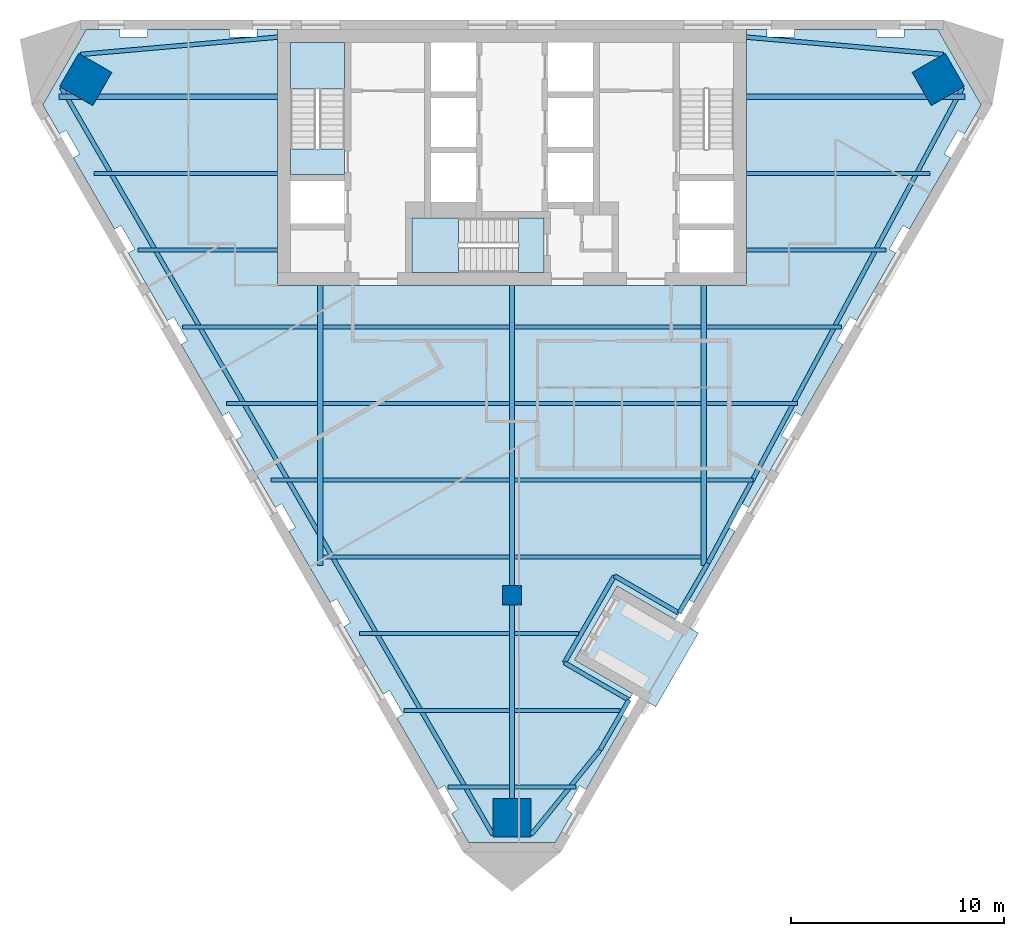
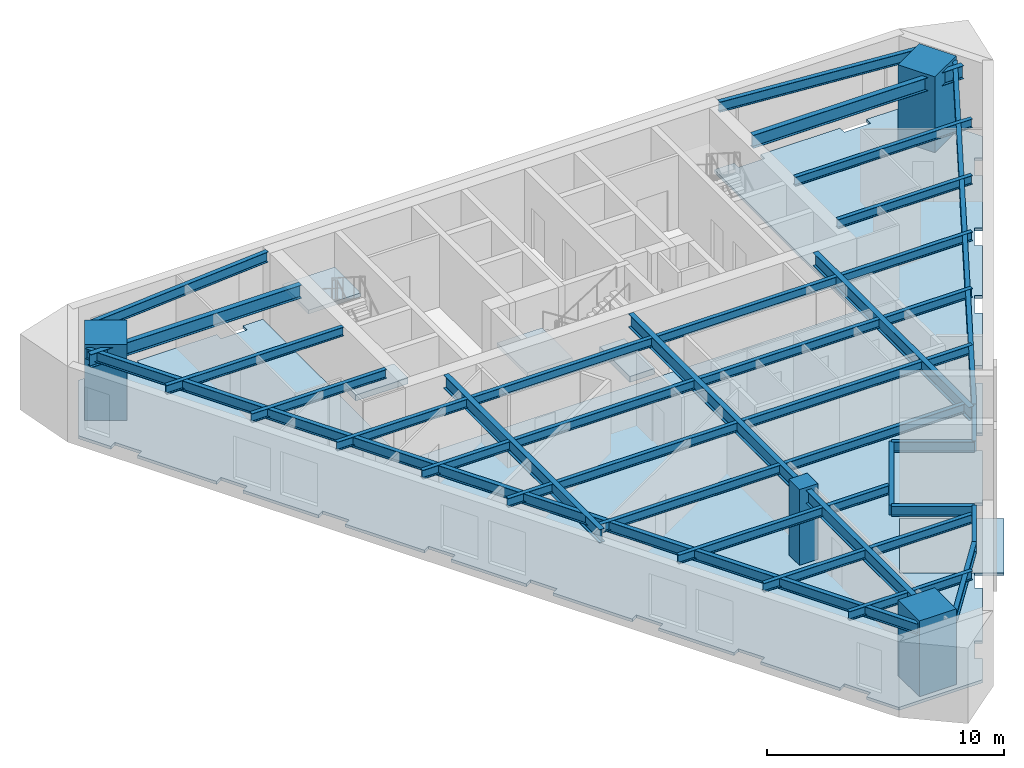
# One storey, part 1 of 7: 40 beams, 6 slabs, 4 columns, 2 elements without a shape of their own.
"""IFC4 building model written with IfcOpenShell, lengths in metres."""

from ifc_helpers import new_model, si_unit, direction, frame, origin, origin_2d, place, context, subcontext, project, spatial, polyline, rectangle, i_section, outline, extrude, material, layer, layer_set, material_profile, profile_set, type_object, element, aggregate, save


model = new_model("IFC4")

# Units and contexts
model_context = context("Model", 3, precision=1e-05, world=origin(), true_north=direction((0.0, 1.0)))
body_context = subcontext(model_context, "Body", "Model", "MODEL_VIEW")
ifc_project = project(units=[si_unit("LENGTHUNIT", "METRE"), si_unit("AREAUNIT", "SQUARE_METRE"), si_unit("VOLUMEUNIT", "CUBIC_METRE"), si_unit("PLANEANGLEUNIT", "RADIAN"), si_unit("MASSUNIT", "GRAM", prefix="KILO")], contexts=[model_context])

# Site, building, storey
site_placement = place(None, origin())
site = spatial("IfcSite", under=ifc_project, at=site_placement, CompositionType="ELEMENT")
building_placement = place(site_placement, origin())
building = spatial("IfcBuilding", under=site, at=building_placement, Name="Aloe Facet Convention Tower", CompositionType="ELEMENT")
storey_placement = place(building_placement, frame((0.0, 0.0, 163.699951171875)))
storey = spatial("IfcBuildingStorey", under=building, at=storey_placement, Name="L41", CompositionType="ELEMENT", Elevation=163.699951171875)

# Columns
ifc_material_1 = material(Name="Concrete C70/85", Category="concrete")
ifc_material_profile_1 = material_profile(ifc_material_1, rectangle(XDim=0.89990234375, YDim=0.89990234375, at=origin_2d()), Name="SF-GC-Z3")
ifc_profile_set_1 = profile_set([ifc_material_profile_1], Name="Concrete C70/85")
column_type_1 = type_object("IfcColumnType", Name="SF-GC-Z3", PredefinedType="COLUMN", material=ifc_profile_set_1)
column_placement = place(storey_placement, frame((80.0, 108.0, 0.0), z_axis=(0.0, 0.0, 1.0), x_axis=(1.0, 0.0, 0.0)))
element("IfcColumn", 1, at=column_placement, inside=storey, type_object=column_type_1, Name="Gravity column GC-Z3-9D", PredefinedType="COLUMN", context=body_context, shape_type="SweptSolid", body=[
    extrude(rectangle(XDim=0.89990234375, YDim=0.89990234375, at=origin_2d()), origin(), (0.0, 0.0, 1.0), 3.900146484375),
])
ifc_material_2 = material(Name="Concrete C80/95", Category="concrete")
ifc_material_profile_2 = material_profile(ifc_material_2, rectangle(XDim=1.800048828125, YDim=1.800048828125, at=origin_2d()), Name="STW-MC-Z3")
ifc_profile_set_2 = profile_set([ifc_material_profile_2], Name="Concrete C80/95")
column_type_2 = type_object("IfcColumnType", Name="STW-MC-Z3", PredefinedType="COLUMN", material=ifc_profile_set_2)
for number, where, z_axis, x_axis, name in (
    (2, (100.00732421875, 132.208251953125, 0.0), (0.0, 0.0, 1.0), (-0.5, 0.866025403784, 0.0), "Mega-column MC-NE-L41"),
    (3, (59.99267578125, 132.208251953125, 0.0), (0.0, 0.0, 1.0), (-0.5, -0.866025403784, 0.0), "Mega-column MC-NW-L41"),
    (4, (80.0, 97.55419921875, 0.0), (0.0, 0.0, 1.0), (1.0, 0.0, 0.0), "Mega-column MC-S-L41"),
):
    element("IfcColumn", number, at=place(storey_placement, frame(where, z_axis=z_axis, x_axis=x_axis)), inside=storey, type_object=column_type_2, Name=name, PredefinedType="COLUMN", context=body_context, shape_type="SweptSolid", body=[
        extrude(rectangle(XDim=1.800048828125, YDim=1.800048828125, at=origin_2d()), origin(), (0.0, 0.0, 1.0), 3.900146484375),
    ])

# Beams
ifc_material_3 = material(Name="Steel S355", Category="steel")
ifc_material_profile_3 = material_profile(ifc_material_3, i_section(OverallWidth=0.19140625, OverallDepth=0.4599609375, WebThickness=0.010009765625, FlangeThickness=0.01611328125, FilletRadius=0.01025390625, at=origin_2d()), Name="UB 457x191x82")
ifc_profile_set_3 = profile_set([ifc_material_profile_3], Name="Steel S355")
beam_type_1 = type_object("IfcBeamType", Name="SF-B-UB457x191x82", PredefinedType="BEAM", material=ifc_profile_set_3)
beam_1_placement = place(storey_placement, frame((60.373779296875, 127.800048828125, 3.52001953125), z_axis=(1.0, 0.0, 0.0), x_axis=(0.0, 1.0, 0.0)))
element("IfcBeam", 5, at=beam_1_placement, inside=storey, type_object=beam_type_1, Name="Floor beam FB-Z3I-017", PredefinedType="BEAM", context=body_context, shape_type="SweptSolid", body=[
    extrude(i_section(OverallWidth=0.19140625, OverallDepth=0.4599609375, WebThickness=0.010009765625, FlangeThickness=0.01611328125, FilletRadius=0.01025390625, at=origin_2d()), origin(), (0.0, 0.0, 1.0), 8.626220703125),
])
beam_2_placement = place(storey_placement, frame((62.452392578125, 124.199951171875, 3.52001953125), z_axis=(1.0, 0.0, 0.0), x_axis=(0.0, 1.0, 0.0)))
element("IfcBeam", 6, at=beam_2_placement, inside=storey, type_object=beam_type_1, Name="Floor beam FB-Z3I-018", PredefinedType="BEAM", context=body_context, shape_type="SweptSolid", body=[
    extrude(i_section(OverallWidth=0.19140625, OverallDepth=0.4599609375, WebThickness=0.010009765625, FlangeThickness=0.01611328125, FilletRadius=0.01025390625, at=origin_2d()), origin(), (0.0, 0.0, 1.0), 6.547607421875),
])
beam_3_placement = place(storey_placement, frame((64.53076171875, 120.60009765625, 3.52001953125), z_axis=(1.0, 0.0, 0.0), x_axis=(0.0, 1.0, 0.0)))
element("IfcBeam", 7, at=beam_3_placement, inside=storey, type_object=beam_type_1, Name="Floor beam FB-Z3I-019", PredefinedType="BEAM", context=body_context, shape_type="SweptSolid", body=[
    extrude(i_section(OverallWidth=0.19140625, OverallDepth=0.4599609375, WebThickness=0.010009765625, FlangeThickness=0.01611328125, FilletRadius=0.01025390625, at=origin_2d()), origin(), (0.0, 0.0, 1.0), 6.3427734375),
])
beam_4_placement = place(storey_placement, frame((66.609130859375, 117.0, 3.52001953125), z_axis=(1.0, 0.0, 0.0), x_axis=(0.0, 1.0, 0.0)))
element("IfcBeam", 8, at=beam_4_placement, inside=storey, type_object=beam_type_1, Name="Floor beam FB-Z3I-020", PredefinedType="BEAM", context=body_context, shape_type="SweptSolid", body=[
    extrude(i_section(OverallWidth=0.19140625, OverallDepth=0.4599609375, WebThickness=0.010009765625, FlangeThickness=0.01611328125, FilletRadius=0.01025390625, at=origin_2d()), origin(), (0.0, 0.0, 1.0), 4.264404296875),
])
beam_5_placement = place(storey_placement, frame((68.687744140625, 113.39990234375, 3.52001953125), z_axis=(1.0, 0.0, 0.0), x_axis=(0.0, 1.0, 0.0)))
element("IfcBeam", 9, at=beam_5_placement, inside=storey, type_object=beam_type_1, Name="Floor beam FB-Z3I-021", PredefinedType="BEAM", context=body_context, shape_type="SweptSolid", body=[
    extrude(i_section(OverallWidth=0.19140625, OverallDepth=0.4599609375, WebThickness=0.010009765625, FlangeThickness=0.01611328125, FilletRadius=0.01025390625, at=origin_2d()), origin(), (0.0, 0.0, 1.0), 2.185791015625),
])
for number, where, z_axis, x_axis, name in (
    (10, (71.12646484375, 109.800048828125, 3.52001953125), (1.0, 0.0, 0.0), (0.0, 1.0, 0.0), "Floor beam FB-Z3I-022"),
    (11, (71.12646484375, 113.39990234375, 3.52001953125), (1.0, 0.0, 0.0), (0.0, 1.0, 0.0), "Floor beam FB-Z3I-023"),
    (12, (71.12646484375, 117.0, 3.52001953125), (1.0, 0.0, 0.0), (0.0, 1.0, 0.0), "Floor beam FB-Z3I-024"),
    (13, (71.12646484375, 120.60009765625, 3.52001953125), (1.0, 0.0, 0.0), (0.0, 1.0, 0.0), "Floor beam FB-Z3I-025"),
):
    element("IfcBeam", number, at=place(storey_placement, frame(where, z_axis=z_axis, x_axis=x_axis)), inside=storey, type_object=beam_type_1, Name=name, PredefinedType="BEAM", context=body_context, shape_type="SweptSolid", body=[
        extrude(i_section(OverallWidth=0.19140625, OverallDepth=0.4599609375, WebThickness=0.010009765625, FlangeThickness=0.01611328125, FilletRadius=0.01025390625, at=origin_2d()), origin(), (0.0, 0.0, 1.0), 8.7470703125),
    ])
beam_6_placement = place(storey_placement, frame((72.844482421875, 106.199951171875, 3.52001953125), z_axis=(1.0, 0.0, 0.0), x_axis=(0.0, 1.0, 0.0)))
element("IfcBeam", 14, at=beam_6_placement, inside=storey, type_object=beam_type_1, Name="Floor beam FB-Z3I-026", PredefinedType="BEAM", context=body_context, shape_type="SweptSolid", body=[
    extrude(i_section(OverallWidth=0.19140625, OverallDepth=0.4599609375, WebThickness=0.010009765625, FlangeThickness=0.01611328125, FilletRadius=0.01025390625, at=origin_2d()), origin(), (0.0, 0.0, 1.0), 7.029052734375),
])
beam_7_placement = place(storey_placement, frame((74.923095703125, 102.60009765625, 3.52001953125), z_axis=(1.0, 0.0, 0.0), x_axis=(0.0, 1.0, 0.0)))
element("IfcBeam", 15, at=beam_7_placement, inside=storey, type_object=beam_type_1, Name="Floor beam FB-Z3I-027", PredefinedType="BEAM", context=body_context, shape_type="SweptSolid", body=[
    extrude(i_section(OverallWidth=0.19140625, OverallDepth=0.4599609375, WebThickness=0.010009765625, FlangeThickness=0.01611328125, FilletRadius=0.01025390625, at=origin_2d()), origin(), (0.0, 0.0, 1.0), 4.950439453125),
])
for number, where, z_axis, x_axis, name in (
    (16, (77.00146484375, 99.0, 3.52001953125), (1.0, 0.0, 0.0), (0.0, 1.0, 0.0), "Floor beam FB-Z3I-028"),
    (17, (80.12646484375, 99.0, 3.52001953125), (1.0, 0.0, 0.0), (0.0, 1.0, 0.0), "Floor beam FB-Z3I-029"),
):
    element("IfcBeam", number, at=place(storey_placement, frame(where, z_axis=z_axis, x_axis=x_axis)), inside=storey, type_object=beam_type_1, Name=name, PredefinedType="BEAM", context=body_context, shape_type="SweptSolid", body=[
        extrude(i_section(OverallWidth=0.19140625, OverallDepth=0.4599609375, WebThickness=0.010009765625, FlangeThickness=0.01611328125, FilletRadius=0.01025390625, at=origin_2d()), origin(), (0.0, 0.0, 1.0), 2.8720703125),
    ])
beam_8_placement = place(storey_placement, frame((80.12646484375, 102.60009765625, 3.52001953125), z_axis=(1.0, 0.0, 0.0), x_axis=(0.0, 1.0, 0.0)))
element("IfcBeam", 18, at=beam_8_placement, inside=storey, type_object=beam_type_1, Name="Floor beam FB-Z3I-030", PredefinedType="BEAM", context=body_context, shape_type="SweptSolid", body=[
    extrude(i_section(OverallWidth=0.19140625, OverallDepth=0.4599609375, WebThickness=0.010009765625, FlangeThickness=0.01611328125, FilletRadius=0.01025390625, at=origin_2d()), origin(), (0.0, 0.0, 1.0), 4.950439453125),
])
beam_9_placement = place(storey_placement, frame((80.12646484375, 106.199951171875, 3.52001953125), z_axis=(1.0, 0.0, 0.0), x_axis=(0.0, 1.0, 0.0)))
element("IfcBeam", 19, at=beam_9_placement, inside=storey, type_object=beam_type_1, Name="Floor beam FB-Z3I-031", PredefinedType="BEAM", context=body_context, shape_type="SweptSolid", body=[
    extrude(i_section(OverallWidth=0.19140625, OverallDepth=0.4599609375, WebThickness=0.010009765625, FlangeThickness=0.01611328125, FilletRadius=0.01025390625, at=origin_2d()), origin(), (0.0, 0.0, 1.0), 2.987548828125),
])
for number, where, z_axis, x_axis, name in (
    (20, (80.12646484375, 109.800048828125, 3.52001953125), (1.0, 0.0, 0.0), (0.0, 1.0, 0.0), "Floor beam FB-Z3I-032"),
    (21, (80.12646484375, 113.39990234375, 3.52001953125), (1.0, 0.0, 0.0), (0.0, 1.0, 0.0), "Floor beam FB-Z3I-033"),
    (22, (80.12646484375, 117.0, 3.52001953125), (1.0, 0.0, 0.0), (0.0, 1.0, 0.0), "Floor beam FB-Z3I-034"),
    (23, (80.12646484375, 120.60009765625, 3.52001953125), (1.0, 0.0, 0.0), (0.0, 1.0, 0.0), "Floor beam FB-Z3I-035"),
):
    element("IfcBeam", number, at=place(storey_placement, frame(where, z_axis=z_axis, x_axis=x_axis)), inside=storey, type_object=beam_type_1, Name=name, PredefinedType="BEAM", context=body_context, shape_type="SweptSolid", body=[
        extrude(i_section(OverallWidth=0.19140625, OverallDepth=0.4599609375, WebThickness=0.010009765625, FlangeThickness=0.01611328125, FilletRadius=0.01025390625, at=origin_2d()), origin(), (0.0, 0.0, 1.0), 8.7470703125),
    ])
beam_10_placement = place(storey_placement, frame((89.12646484375, 113.39990234375, 3.52001953125), z_axis=(1.0, 0.0, 0.0), x_axis=(0.0, 1.0, 0.0)))
element("IfcBeam", 24, at=beam_10_placement, inside=storey, type_object=beam_type_1, Name="Floor beam FB-Z3I-036", PredefinedType="BEAM", context=body_context, shape_type="SweptSolid", body=[
    extrude(i_section(OverallWidth=0.19140625, OverallDepth=0.4599609375, WebThickness=0.010009765625, FlangeThickness=0.01611328125, FilletRadius=0.01025390625, at=origin_2d()), origin(), (0.0, 0.0, 1.0), 2.185791015625),
])
beam_11_placement = place(storey_placement, frame((89.12646484375, 117.0, 3.52001953125), z_axis=(1.0, 0.0, 0.0), x_axis=(0.0, 1.0, 0.0)))
element("IfcBeam", 25, at=beam_11_placement, inside=storey, type_object=beam_type_1, Name="Floor beam FB-Z3I-037", PredefinedType="BEAM", context=body_context, shape_type="SweptSolid", body=[
    extrude(i_section(OverallWidth=0.19140625, OverallDepth=0.4599609375, WebThickness=0.010009765625, FlangeThickness=0.01611328125, FilletRadius=0.01025390625, at=origin_2d()), origin(), (0.0, 0.0, 1.0), 4.264404296875),
])
beam_12_placement = place(storey_placement, frame((89.12646484375, 120.60009765625, 3.52001953125), z_axis=(1.0, 0.0, 0.0), x_axis=(0.0, 1.0, 0.0)))
element("IfcBeam", 26, at=beam_12_placement, inside=storey, type_object=beam_type_1, Name="Floor beam FB-Z3I-038", PredefinedType="BEAM", context=body_context, shape_type="SweptSolid", body=[
    extrude(i_section(OverallWidth=0.19140625, OverallDepth=0.4599609375, WebThickness=0.010009765625, FlangeThickness=0.01611328125, FilletRadius=0.01025390625, at=origin_2d()), origin(), (0.0, 0.0, 1.0), 6.3427734375),
])
beam_13_placement = place(storey_placement, frame((91.0, 124.199951171875, 3.52001953125), z_axis=(1.0, 0.0, 0.0), x_axis=(0.0, 1.0, 0.0)))
element("IfcBeam", 27, at=beam_13_placement, inside=storey, type_object=beam_type_1, Name="Floor beam FB-Z3I-039", PredefinedType="BEAM", context=body_context, shape_type="SweptSolid", body=[
    extrude(i_section(OverallWidth=0.19140625, OverallDepth=0.4599609375, WebThickness=0.010009765625, FlangeThickness=0.01611328125, FilletRadius=0.01025390625, at=origin_2d()), origin(), (0.0, 0.0, 1.0), 6.547607421875),
])
beam_14_placement = place(storey_placement, frame((91.0, 127.800048828125, 3.52001953125), z_axis=(1.0, 0.0, 0.0), x_axis=(0.0, 1.0, 0.0)))
element("IfcBeam", 28, at=beam_14_placement, inside=storey, type_object=beam_type_1, Name="Floor beam FB-Z3I-040", PredefinedType="BEAM", context=body_context, shape_type="SweptSolid", body=[
    extrude(i_section(OverallWidth=0.19140625, OverallDepth=0.4599609375, WebThickness=0.010009765625, FlangeThickness=0.01611328125, FilletRadius=0.01025390625, at=origin_2d()), origin(), (0.0, 0.0, 1.0), 8.626220703125),
])
ifc_material_4 = material(Name="Steel S355", Category="steel")
ifc_material_profile_4 = material_profile(ifc_material_4, i_section(OverallWidth=0.209228515625, OverallDepth=0.533203125, WebThickness=0.010009765625, FlangeThickness=0.015625, FilletRadius=0.0126953125, at=origin_2d()), Name="UB 533x210x92")
ifc_profile_set_4 = profile_set([ifc_material_profile_4], Name="Steel S355")
beam_type_2 = type_object("IfcBeamType", Name="SF-B-UB533x210x92", PredefinedType="BEAM", material=ifc_profile_set_4)
beam_15_placement = place(storey_placement, frame((69.0, 134.1953125, 3.4833984375), z_axis=(-0.996184118201, -0.087276587035, 0.0), x_axis=(0.087276587035, -0.996184118201, 0.0)))
element("IfcBeam", 29, at=beam_15_placement, inside=storey, type_object=beam_type_2, Name="Floor beam FB-Z3I-001", PredefinedType="BEAM", context=body_context, shape_type="SweptSolid", body=[
    extrude(i_section(OverallWidth=0.209228515625, OverallDepth=0.533203125, WebThickness=0.010009765625, FlangeThickness=0.015625, FilletRadius=0.0126953125, at=origin_2d()), origin(), (0.0, 0.0, 1.0), 9.281494140625),
])
beam_16_placement = place(storey_placement, frame((79.10009765625, 96.7587890625, 3.4833984375), z_axis=(-0.500000630289, 0.866025039887, 0.0), x_axis=(-0.866025039887, -0.500000630289, 0.0)))
element("IfcBeam", 30, at=beam_16_placement, inside=storey, type_object=beam_type_2, Name="Floor beam FB-Z3I-002", PredefinedType="BEAM", context=body_context, shape_type="SweptSolid", body=[
    extrude(i_section(OverallWidth=0.209228515625, OverallDepth=0.533203125, WebThickness=0.010009765625, FlangeThickness=0.015625, FilletRadius=0.0126953125, at=origin_2d()), origin(), (0.0, 0.0, 1.0), 40.49267578125),
])
beam_17_placement = place(storey_placement, frame((80.89990234375, 96.7587890625, 3.4833984375), z_axis=(0.630535272708, 0.776160595412, 0.0), x_axis=(-0.776160595412, 0.630535272708, 0.0)))
element("IfcBeam", 31, at=beam_17_placement, inside=storey, type_object=beam_type_2, Name="Floor beam FB-Z3I-003", PredefinedType="BEAM", context=body_context, shape_type="SweptSolid", body=[
    extrude(i_section(OverallWidth=0.209228515625, OverallDepth=0.533203125, WebThickness=0.010009765625, FlangeThickness=0.015625, FilletRadius=0.0126953125, at=origin_2d()), origin(), (0.0, 0.0, 1.0), 5.12841796875),
])
beam_18_placement = place(storey_placement, frame((82.45556640625, 104.8330078125, 3.4833984375), z_axis=(0.866019471182, -0.500010275428, 0.0), x_axis=(0.500010275428, 0.866019471182, 0.0)))
element("IfcBeam", 32, at=beam_18_placement, inside=storey, type_object=beam_type_2, Name="Floor beam FB-Z3I-004", PredefinedType="BEAM", context=body_context, shape_type="SweptSolid", body=[
    extrude(i_section(OverallWidth=0.209228515625, OverallDepth=0.533203125, WebThickness=0.010009765625, FlangeThickness=0.015625, FilletRadius=0.0126953125, at=origin_2d()), origin(), (0.0, 0.0, 1.0), 3.5),
])
beam_19_placement = place(storey_placement, frame((84.810302734375, 108.911376953125, 3.4833984375), z_axis=(-0.500014143148, -0.86601723808, 0.0), x_axis=(0.86601723808, -0.500014143148, 0.0)))
element("IfcBeam", 33, at=beam_19_placement, inside=storey, type_object=beam_type_2, Name="Floor beam FB-Z3I-005", PredefinedType="BEAM", context=body_context, shape_type="SweptSolid", body=[
    extrude(i_section(OverallWidth=0.209228515625, OverallDepth=0.533203125, WebThickness=0.010009765625, FlangeThickness=0.015625, FilletRadius=0.0126953125, at=origin_2d()), origin(), (0.0, 0.0, 1.0), 4.709228515625),
])
beam_20_placement = place(storey_placement, frame((85.486572265625, 103.0830078125, 3.4833984375), z_axis=(-0.499961935096, -0.866047379452, 0.0), x_axis=(0.866047379452, -0.499961935096, 0.0)))
element("IfcBeam", 34, at=beam_20_placement, inside=storey, type_object=beam_type_2, Name="Floor beam FB-Z3I-006", PredefinedType="BEAM", context=body_context, shape_type="SweptSolid", body=[
    extrude(i_section(OverallWidth=0.209228515625, OverallDepth=0.533203125, WebThickness=0.010009765625, FlangeThickness=0.015625, FilletRadius=0.0126953125, at=origin_2d()), origin(), (0.0, 0.0, 1.0), 2.706298828125),
])
beam_21_placement = place(storey_placement, frame((87.84130859375, 107.161376953125, 3.4833984375), z_axis=(-0.866019471182, 0.500010275428, 0.0), x_axis=(-0.500010275428, -0.866019471182, 0.0)))
element("IfcBeam", 35, at=beam_21_placement, inside=storey, type_object=beam_type_2, Name="Floor beam FB-Z3I-007", PredefinedType="BEAM", context=body_context, shape_type="SweptSolid", body=[
    extrude(i_section(OverallWidth=0.209228515625, OverallDepth=0.533203125, WebThickness=0.010009765625, FlangeThickness=0.015625, FilletRadius=0.0126953125, at=origin_2d()), origin(), (0.0, 0.0, 1.0), 3.5),
])
beam_22_placement = place(storey_placement, frame((89.1943359375, 109.5048828125, 3.4833984375), z_axis=(-0.500000999148, -0.866024826925, 0.0), x_axis=(0.866024826925, -0.500000999148, 0.0)))
element("IfcBeam", 36, at=beam_22_placement, inside=storey, type_object=beam_type_2, Name="Floor beam FB-Z3I-008", PredefinedType="BEAM", context=body_context, shape_type="SweptSolid", body=[
    extrude(i_section(OverallWidth=0.209228515625, OverallDepth=0.533203125, WebThickness=0.010009765625, FlangeThickness=0.015625, FilletRadius=0.0126953125, at=origin_2d()), origin(), (0.0, 0.0, 1.0), 2.7060546875),
])
beam_23_placement = place(storey_placement, frame((89.1943359375, 109.5048828125, 3.4833984375), z_axis=(0.472035437861, 0.881579574062, 0.0), x_axis=(-0.881579574062, 0.472035437861, 0.0)))
element("IfcBeam", 37, at=beam_23_placement, inside=storey, type_object=beam_type_2, Name="Floor beam FB-Z3I-009", PredefinedType="BEAM", context=body_context, shape_type="SweptSolid", body=[
    extrude(i_section(OverallWidth=0.209228515625, OverallDepth=0.533203125, WebThickness=0.010009765625, FlangeThickness=0.015625, FilletRadius=0.0126953125, at=origin_2d()), origin(), (0.0, 0.0, 1.0), 25.31982421875),
])
beam_24_placement = place(storey_placement, frame((91.0, 134.1953125, 3.4833984375), z_axis=(0.996184118201, -0.087276587035, 0.0), x_axis=(0.087276587035, 0.996184118201, 0.0)))
element("IfcBeam", 38, at=beam_24_placement, inside=storey, type_object=beam_type_2, Name="Floor beam FB-Z3I-010", PredefinedType="BEAM", context=body_context, shape_type="SweptSolid", body=[
    extrude(i_section(OverallWidth=0.209228515625, OverallDepth=0.533203125, WebThickness=0.010009765625, FlangeThickness=0.015625, FilletRadius=0.0126953125, at=origin_2d()), origin(), (0.0, 0.0, 1.0), 9.281494140625),
])
ifc_material_5 = material(Name="Steel S355", Category="steel")
ifc_material_profile_5 = material_profile(ifc_material_5, i_section(OverallWidth=0.2529296875, OverallDepth=0.677978515625, WebThickness=0.01171875, FlangeThickness=0.01611328125, FilletRadius=0.01513671875, at=origin_2d()), Name="UB 686x254x125")
ifc_profile_set_5 = profile_set([ifc_material_profile_5], Name="Steel S355")
beam_type_3 = type_object("IfcBeamType", Name="SF-B-UB686x254x125", PredefinedType="BEAM", material=ifc_profile_set_5)
beam_25_placement = place(storey_placement, frame((58.73828125, 131.39990234375, 3.4111328125), z_axis=(1.0, 0.0, 0.0), x_axis=(0.0, 1.0, 0.0)))
element("IfcBeam", 39, at=beam_25_placement, inside=storey, type_object=beam_type_3, Name="Floor beam FB-Z3I-011", PredefinedType="BEAM", context=body_context, shape_type="SweptSolid", body=[
    extrude(i_section(OverallWidth=0.2529296875, OverallDepth=0.677978515625, WebThickness=0.01171875, FlangeThickness=0.01611328125, FilletRadius=0.01513671875, at=origin_2d()), origin(), (0.0, 0.0, 1.0), 10.26171875),
])
beam_26_placement = place(storey_placement, frame((71.0, 122.550048828125, 3.4111328125), z_axis=(0.0, -1.0, 0.0), x_axis=(1.0, 0.0, 0.0)))
element("IfcBeam", 40, at=beam_26_placement, inside=storey, type_object=beam_type_3, Name="Floor beam FB-Z3I-012", PredefinedType="BEAM", context=body_context, shape_type="SweptSolid", body=[
    extrude(i_section(OverallWidth=0.2529296875, OverallDepth=0.677978515625, WebThickness=0.01171875, FlangeThickness=0.01611328125, FilletRadius=0.01513671875, at=origin_2d()), origin(), (0.0, 0.0, 1.0), 13.162353515625),
])
beam_27_placement = place(storey_placement, frame((80.0, 107.550048828125, 3.4111328125), z_axis=(0.0, -1.0, 0.0), x_axis=(1.0, 0.0, 0.0)))
element("IfcBeam", 41, at=beam_27_placement, inside=storey, type_object=beam_type_3, Name="Floor beam FB-Z3I-013", PredefinedType="BEAM", context=body_context, shape_type="SweptSolid", body=[
    extrude(i_section(OverallWidth=0.2529296875, OverallDepth=0.677978515625, WebThickness=0.01171875, FlangeThickness=0.01611328125, FilletRadius=0.01513671875, at=origin_2d()), origin(), (0.0, 0.0, 1.0), 10.676513671875),
])
beam_28_placement = place(storey_placement, frame((80.0, 122.550048828125, 3.4111328125), z_axis=(0.0, -1.0, 0.0), x_axis=(1.0, 0.0, 0.0)))
element("IfcBeam", 42, at=beam_28_placement, inside=storey, type_object=beam_type_3, Name="Floor beam FB-Z3I-014", PredefinedType="BEAM", context=body_context, shape_type="SweptSolid", body=[
    extrude(i_section(OverallWidth=0.2529296875, OverallDepth=0.677978515625, WebThickness=0.01171875, FlangeThickness=0.01611328125, FilletRadius=0.01513671875, at=origin_2d()), origin(), (0.0, 0.0, 1.0), 14.10009765625),
])
beam_29_placement = place(storey_placement, frame((89.0, 122.550048828125, 3.4111328125), z_axis=(0.0, -1.0, 0.0), x_axis=(1.0, 0.0, 0.0)))
element("IfcBeam", 43, at=beam_29_placement, inside=storey, type_object=beam_type_3, Name="Floor beam FB-Z3I-015", PredefinedType="BEAM", context=body_context, shape_type="SweptSolid", body=[
    extrude(i_section(OverallWidth=0.2529296875, OverallDepth=0.677978515625, WebThickness=0.01171875, FlangeThickness=0.01611328125, FilletRadius=0.01513671875, at=origin_2d()), origin(), (0.0, 0.0, 1.0), 13.162353515625),
])
beam_30_placement = place(storey_placement, frame((91.0, 131.39990234375, 3.4111328125), z_axis=(1.0, 0.0, 0.0), x_axis=(0.0, 1.0, 0.0)))
element("IfcBeam", 44, at=beam_30_placement, inside=storey, type_object=beam_type_3, Name="Floor beam FB-Z3I-016", PredefinedType="BEAM", context=body_context, shape_type="SweptSolid", body=[
    extrude(i_section(OverallWidth=0.2529296875, OverallDepth=0.677978515625, WebThickness=0.01171875, FlangeThickness=0.01611328125, FilletRadius=0.01513671875, at=origin_2d()), origin(), (0.0, 0.0, 1.0), 10.26171875),
])

# Slabs
ifc_material_6 = material(Name="Concrete C60/75", Category="concrete")
ifc_layer_1 = layer(ifc_material_6, 0.300048828125)
ifc_layer_set_1 = layer_set([ifc_layer_1], Name="CR-S-FLOOR300-C6075")
slab_type_1 = type_object("IfcSlabType", Name="CR-S-FLOOR300-C6075", PredefinedType="FLOOR", material=ifc_layer_set_1)
slab_1_placement = place(storey_placement, frame((0.0, 0.0, -0.300048828125)))
element("IfcSlab", 45, at=slab_1_placement, inside=storey, type_object=slab_type_1, Name="Stair landing floor L41", PredefinedType="FLOOR", context=body_context, shape_type="SweptSolid", body=[
    extrude(outline(polyline([(72.14990234375, 127.75), (72.14990234375, 128.951171875), (69.60009765625, 128.951171875), (69.60009765625, 127.75), (72.14990234375, 127.75)])), origin(), (0.0, 0.0, 1.0), 0.300048828125),
])
slab_2_placement = place(storey_placement, frame((0.0, 0.0, -0.300048828125)))
element("IfcSlab", 46, at=slab_2_placement, inside=storey, type_object=slab_type_1, Name="Stair landing floor L41", PredefinedType="FLOOR", context=body_context, shape_type="SweptSolid", body=[
    extrude(outline(polyline([(81.5, 125.699951171875), (80.298828125, 125.699951171875), (80.298828125, 123.14990234375), (81.5, 123.14990234375), (81.5, 125.699951171875)])), origin(), (0.0, 0.0, 1.0), 0.300048828125),
])

# Stair, slab
ifc_material_7 = material(Name="Concrete C50/60", Category="concrete")
stair_type = type_object("IfcStairType", Name="CR-ST-22R", PredefinedType="HALF_TURN_STAIR", material=ifc_material_7)
stair_1_placement = place(storey_placement, origin())
stair_1 = element("IfcStair", 47, at=stair_1_placement, inside=storey, type_object=stair_type, Name="L41 Protected exit stair ST1", PredefinedType="HALF_TURN_STAIR")
ifc_material_8 = material(Name="Concrete C50/60", Category="concrete")
ifc_layer_2 = layer(ifc_material_8, 0.199951171875)
ifc_layer_set_2 = layer_set([ifc_layer_2], Name="CR-SL-LANDING")
slab_type_2 = type_object("IfcSlabType", Name="CR-SL-LANDING", PredefinedType="LANDING", material=ifc_layer_set_2)
slab_3_placement = place(storey_placement, frame((0.0, 0.0, 1.75)))
slab_3 = element("IfcSlab", 48, at=slab_3_placement, type_object=slab_type_2, Name="ST1 landing 1", PredefinedType="LANDING", context=body_context, shape_type="SweptSolid", body=[
    extrude(outline(polyline([(72.14990234375, 131.75), (72.14990234375, 133.949951171875), (69.60009765625, 133.949951171875), (69.60009765625, 131.75), (72.14990234375, 131.75)])), origin(), (0.0, 0.0, 1.0), 0.199951171875),
])
aggregate(stair_1, [slab_3])

stair_2_placement = place(storey_placement, origin())
stair_2 = element("IfcStair", 49, at=stair_2_placement, inside=storey, type_object=stair_type, Name="L41 Protected exit stair ST3", PredefinedType="HALF_TURN_STAIR")
slab_4_placement = place(storey_placement, frame((0.0, 0.0, 1.75)))
slab_4 = element("IfcSlab", 50, at=slab_4_placement, type_object=slab_type_2, Name="ST3 landing 1", PredefinedType="LANDING", context=body_context, shape_type="SweptSolid", body=[
    extrude(outline(polyline([(77.5, 125.699951171875), (75.300048828125, 125.699951171875), (75.300048828125, 123.14990234375), (77.5, 123.14990234375), (77.5, 125.699951171875)])), origin(), (0.0, 0.0, 1.0), 0.199951171875),
])
aggregate(stair_2, [slab_4])

# Slabs
ifc_material_9 = material(Name="Concrete C35/45", Category="concrete")
ifc_layer_3 = layer(ifc_material_9, 0.14990234375)
ifc_layer_set_3 = layer_set([ifc_layer_3], Name="SF-FS-150")
slab_type_3 = type_object("IfcSlabType", Name="SF-FS-150", PredefinedType="FLOOR", material=ifc_layer_set_3)
slab_5_placement = place(storey_placement, frame((0.0, 0.0, -0.14990234375)))
element("IfcSlab", 51, at=slab_5_placement, inside=storey, type_object=slab_type_3, Name="Floor slab L41-1", PredefinedType="FLOOR", context=body_context, shape_type="SweptSolid", body=[
    extrude(outline(polyline([(77.959716796875, 96.404296875), (77.171142578125, 97.770263671875), (77.474365234375, 97.9453125), (76.82958984375, 99.061767578125), (76.526611328125, 98.88671875), (74.592041015625, 102.2373046875), (74.895263671875, 102.412109375), (74.25048828125, 103.52880859375), (73.947509765625, 103.353759765625), (72.1103515625, 106.53564453125), (72.41357421875, 106.710693359375), (71.768798828125, 107.827392578125), (71.4658203125, 107.65234375), (69.531494140625, 111.002685546875), (69.83447265625, 111.177734375), (69.189697265625, 112.294189453125), (68.88671875, 112.119384765625), (67.0498046875, 115.30126953125), (67.352783203125, 115.476318359375), (66.7080078125, 116.5927734375), (66.405029296875, 116.417724609375), (64.470703125, 119.768310546875), (64.773681640625, 119.943115234375), (64.12890625, 121.059814453125), (63.825927734375, 120.884765625), (61.989013671875, 124.066650390625), (62.2919921875, 124.24169921875), (61.647216796875, 125.3583984375), (61.34423828125, 125.183349609375), (59.409912109375, 128.53369140625), (59.712890625, 128.708740234375), (59.068359375, 129.825439453125), (58.76513671875, 129.650390625), (57.9765625, 131.016357421875), (60.0166015625, 134.550048828125), (61.593994140625, 134.550048828125), (61.593994140625, 134.199951171875), (62.88330078125, 134.199951171875), (62.88330078125, 134.550048828125), (66.752197265625, 134.550048828125), (66.752197265625, 134.199951171875), (68.04150390625, 134.199951171875), (68.04150390625, 134.550048828125), (69.0, 134.550048828125), (69.0, 128.050048828125), (69.0, 127.14990234375), (69.0, 125.75), (69.0, 124.85009765625), (69.0, 122.550048828125), (71.85009765625, 122.550048828125), (72.75, 122.550048828125), (74.699951171875, 122.550048828125), (75.60009765625, 122.550048828125), (81.199951171875, 122.550048828125), (82.10009765625, 122.550048828125), (84.39990234375, 122.550048828125), (85.300048828125, 122.550048828125), (87.25, 122.550048828125), (88.14990234375, 122.550048828125), (91.0, 122.550048828125), (91.0, 124.85009765625), (91.0, 125.75), (91.0, 127.14990234375), (91.0, 128.050048828125), (91.0, 134.550048828125), (91.95849609375, 134.550048828125), (91.95849609375, 134.199951171875), (93.247802734375, 134.199951171875), (93.247802734375, 134.550048828125), (97.11669921875, 134.550048828125), (97.11669921875, 134.199951171875), (98.406005859375, 134.199951171875), (98.406005859375, 134.550048828125), (99.9833984375, 134.550048828125), (102.0234375, 131.016357421875), (101.23486328125, 129.650390625), (100.931640625, 129.825439453125), (100.287109375, 128.708740234375), (100.590087890625, 128.53369140625), (98.65576171875, 125.183349609375), (98.352783203125, 125.3583984375), (97.7080078125, 124.24169921875), (98.010986328125, 124.066650390625), (96.174072265625, 120.884765625), (95.87109375, 121.059814453125), (95.226318359375, 119.943115234375), (95.529296875, 119.768310546875), (93.594970703125, 116.417724609375), (93.2919921875, 116.5927734375), (92.647216796875, 115.476318359375), (92.9501953125, 115.30126953125), (91.11328125, 112.119384765625), (90.810302734375, 112.294189453125), (90.16552734375, 111.177734375), (90.468505859375, 111.002685546875), (88.5341796875, 107.65234375), (88.231201171875, 107.827392578125), (87.66796875, 106.851806640625), (84.93994140625, 108.4267578125), (82.93994140625, 104.962646484375), (85.66796875, 103.3876953125), (85.104736328125, 102.412109375), (85.407958984375, 102.2373046875), (83.473388671875, 98.88671875), (83.17041015625, 99.061767578125), (82.525634765625, 97.9453125), (82.828857421875, 97.770263671875), (82.040283203125, 96.404296875), (77.959716796875, 96.404296875)]), holes=[polyline([(80.89990234375, 96.654296875), (80.89990234375, 98.4541015625), (79.10009765625, 98.4541015625), (79.10009765625, 96.654296875), (80.89990234375, 96.654296875)]), polyline([(59.6630859375, 133.4375), (58.76318359375, 131.878662109375), (60.322021484375, 130.978759765625), (61.221923828125, 132.53759765625), (59.6630859375, 133.4375)]), polyline([(80.449951171875, 107.550048828125), (80.449951171875, 108.449951171875), (79.550048828125, 108.449951171875), (79.550048828125, 107.550048828125), (80.449951171875, 107.550048828125)]), polyline([(101.23681640625, 131.878662109375), (100.3369140625, 133.4375), (98.778076171875, 132.53759765625), (99.677978515625, 130.978759765625), (101.23681640625, 131.878662109375)])]), origin(), (0.0, 0.0, 1.0), 0.14990234375),
])
ifc_material_10 = material(Name="Concrete C35/45", Category="concrete")
ifc_layer_4 = layer(ifc_material_10, 0.14990234375)
ifc_layer_set_4 = layer_set([ifc_layer_4], Name="SF-TS-150")
slab_type_4 = type_object("IfcSlabType", Name="SF-TS-150", PredefinedType="FLOOR", material=ifc_layer_set_4)
slab_6_placement = place(storey_placement, frame((0.0, 0.0, -0.14990234375)))
element("IfcSlab", 52, at=slab_6_placement, inside=storey, type_object=slab_type_4, Name="Terrace slab T09", PredefinedType="FLOOR", context=body_context, shape_type="SweptSolid", body=[
    extrude(outline(polyline([(86.75048828125, 102.7626953125), (82.93994140625, 104.962646484375), (84.93994140625, 108.4267578125), (88.75048828125, 106.226806640625), (86.75048828125, 102.7626953125)])), origin(), (0.0, 0.0, 1.0), 0.14990234375),
])

save(model, "model.ifc")
